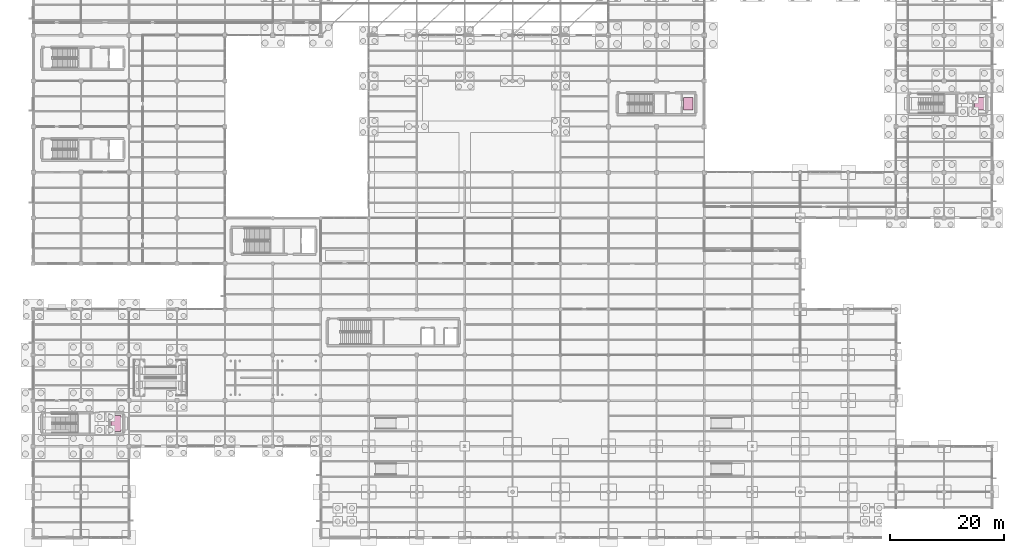
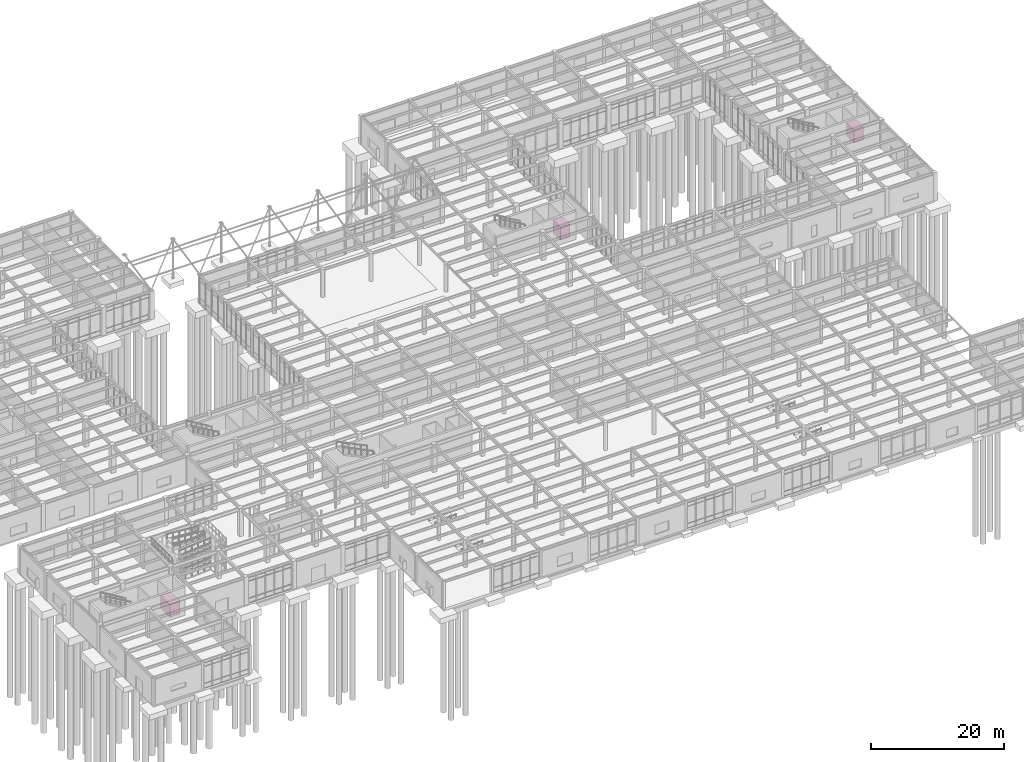
# One storey, part 138 of 138: 3 transport elements.
"""IFC4 building model written with IfcOpenShell, lengths in metres."""

from ifc_helpers import new_model, si_unit, direction, frame, origin, origin_2d, place, context, subcontext, project, spatial, rectangle, extrude, material, type_object, element, save


model = new_model("IFC4")

# Units and contexts
model_context = context("Model", 3, precision=1e-05, world=origin(), true_north=direction((0.0, 1.0)))
body_context = subcontext(model_context, "Body", "Model", "MODEL_VIEW")
ifc_project = project(units=[si_unit("LENGTHUNIT", "METRE"), si_unit("AREAUNIT", "SQUARE_METRE"), si_unit("VOLUMEUNIT", "CUBIC_METRE"), si_unit("PLANEANGLEUNIT", "RADIAN"), si_unit("MASSUNIT", "GRAM", prefix="KILO")], contexts=[model_context])

# Site, building, storey
site_placement = place(None, origin())
site = spatial("IfcSite", under=ifc_project, at=site_placement, CompositionType="ELEMENT")
building_placement = place(site_placement, origin())
building = spatial("IfcBuilding", under=site, at=building_placement, Name="Kranzveld Transit Interchange", CompositionType="ELEMENT")
storey_placement = place(building_placement, origin())
storey = spatial("IfcBuildingStorey", under=building, at=storey_placement, Name="L00", CompositionType="ELEMENT", Elevation=0.0)

# Transport elements
ifc_material_1 = material(Name="Steel S355JR", Category="steel")
transport_element_type_1 = type_object("IfcTransportElementType", Name="Accessible Passenger Lift 1650x2200 1600kg", PredefinedType="ELEVATOR", material=ifc_material_1)
for number, where, z_axis, x_axis, name in (
    (1, (114.75, 76.0, 0.0), (0.0, 0.0, 1.0), (1.0, 0.0, 0.0), "Passenger Lift LF-V4A"),
    (2, (165.75, 76.0, 0.0), (0.0, 0.0, 1.0), (1.0, 0.0, 0.0), "Passenger Lift LF-V4B"),
):
    element("IfcTransportElement", number, at=place(storey_placement, frame(where, z_axis=z_axis, x_axis=x_axis)), inside=storey, type_object=transport_element_type_1, Name=name, PredefinedType="ELEVATOR", context=body_context, shape_type="SweptSolid", body=[
        extrude(rectangle(XDim=1.64990234375, YDim=2.199951171875, at=origin_2d()), origin(), (0.0, 0.0, 1.0), 2.39990234375),
    ])
ifc_material_2 = material(Name="Steel S355JR", Category="steel")
transport_element_type_2 = type_object("IfcTransportElementType", Name="Pass-Through Cycle Lift 1800x2800 2500kg", PredefinedType="ELEVATOR", material=ifc_material_2)
transport_element_placement = place(storey_placement, frame((14.5, 20.0, 0.0), z_axis=(0.0, 0.0, 1.0), x_axis=(1.0, 0.0, 0.0)))
element("IfcTransportElement", 3, at=transport_element_placement, inside=storey, type_object=transport_element_type_2, Name="Passenger Lift LF-CY1", PredefinedType="ELEVATOR", context=body_context, shape_type="SweptSolid", body=[
    extrude(rectangle(XDim=1.800048828125, YDim=2.800048828125, at=origin_2d()), origin(), (0.0, 0.0, 1.0), 2.39990234375),
])

save(model, "model.ifc")
